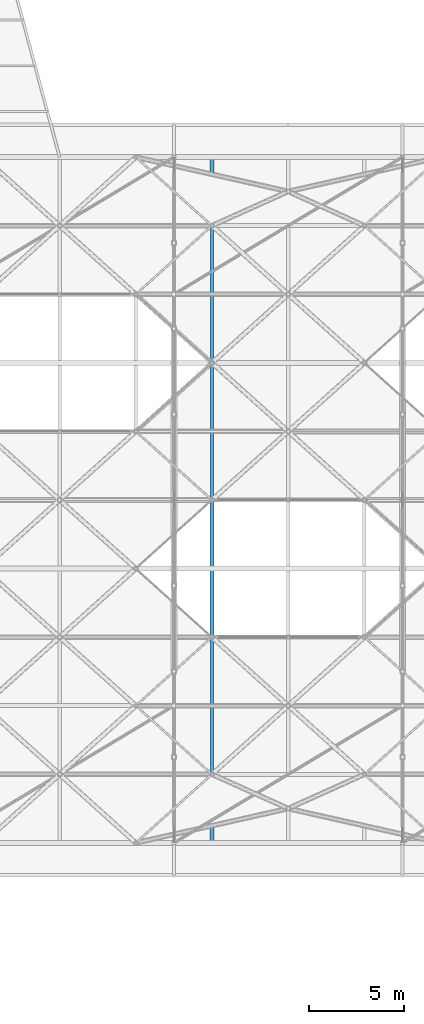
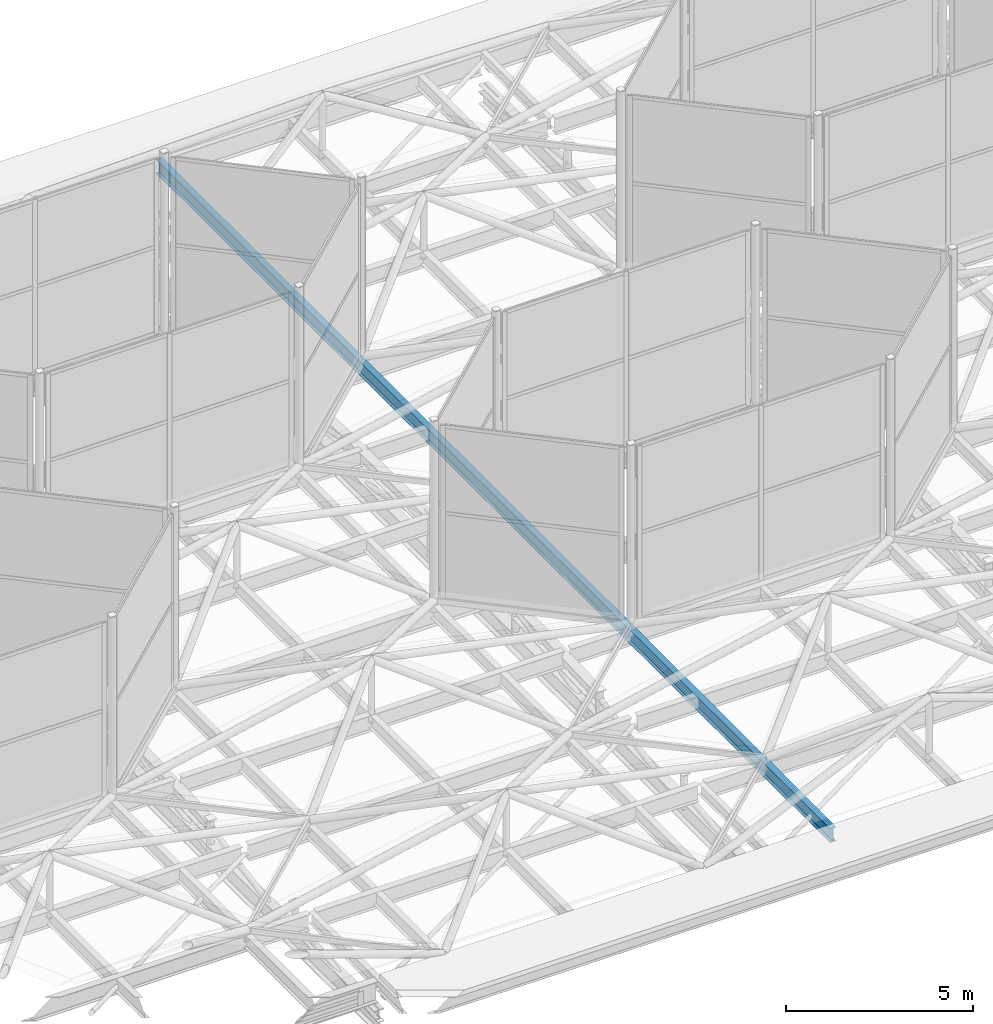
# One storey, part 93 of 239: 1 beam.
"""IFC4 building model written with IfcOpenShell, lengths in metres."""

from ifc_helpers import new_model, si_unit, direction, frame, origin, origin_2d, place, context, subcontext, project, spatial, i_section, extrude, material, material_profile, profile_set, type_object, element, save


model = new_model("IFC4")

# Units and contexts
model_context = context("Model", 3, precision=1e-05, world=origin(), true_north=direction((0.0, 1.0)))
body_context = subcontext(model_context, "Body", "Model", "MODEL_VIEW")
ifc_project = project(units=[si_unit("LENGTHUNIT", "METRE"), si_unit("AREAUNIT", "SQUARE_METRE"), si_unit("VOLUMEUNIT", "CUBIC_METRE"), si_unit("PLANEANGLEUNIT", "RADIAN"), si_unit("MASSUNIT", "GRAM", prefix="KILO")], contexts=[model_context])

# Site, building, storey
site_placement = place(None, origin())
site = spatial("IfcSite", under=ifc_project, at=site_placement, CompositionType="ELEMENT")
building_placement = place(site_placement, origin())
building = spatial("IfcBuilding", under=site, at=building_placement, Name="Dunvalen Ferry Terminal", CompositionType="ELEMENT")
storey_placement = place(building_placement, frame((0.0, 0.0, 9.840087890625)))
storey = spatial("IfcBuildingStorey", under=building, at=storey_placement, Name="L02", CompositionType="ELEMENT", Elevation=9.840087890625)

# Beam
ifc_material = material(Name="Steel S355", Category="steel")
ifc_material_profile = material_profile(ifc_material, i_section(OverallWidth=0.1904296875, OverallDepth=0.45703125, WebThickness=0.009033203125, FlangeThickness=0.014404296875, FilletRadius=0.01025390625, at=origin_2d()), Name="Steel S355")
ifc_profile_set = profile_set([ifc_material_profile], Name="Steel S355")
beam_type = type_object("IfcBeamType", Name="STR-BM-UKB457", PredefinedType="BEAM", material=ifc_profile_set)
beam_placement = place(storey_placement, frame((50.0, 50.39990234375, 0.771484375), z_axis=(0.0, 1.0, 0.0), x_axis=(-1.0, 0.0, 0.0)))
element("IfcBeam", 1, at=beam_placement, inside=storey, type_object=beam_type, Name="Departure Hall Hex-Grid Cross Beam B4.1", PredefinedType="BEAM", context=body_context, shape_type="SweptSolid", body=[
    extrude(i_section(OverallWidth=0.1904296875, OverallDepth=0.45703125, WebThickness=0.009033203125, FlangeThickness=0.014404296875, FilletRadius=0.01025390625, at=origin_2d()), origin(), (0.0, 0.0, 1.0), 36.0),
])

save(model, "model.ifc")
